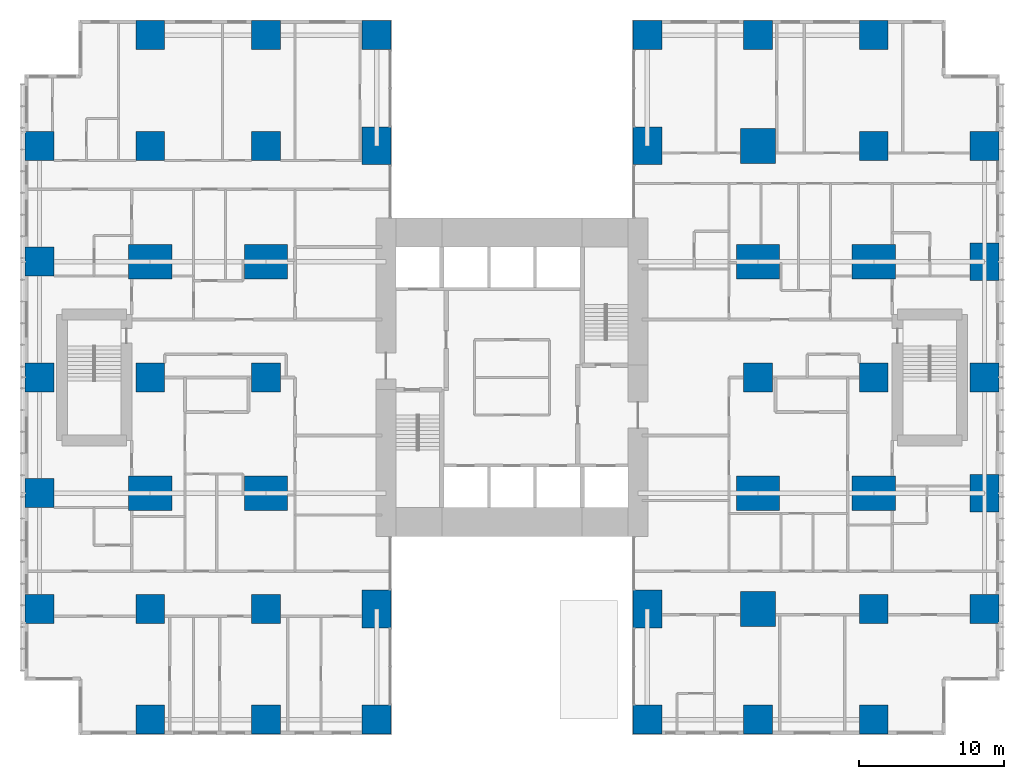
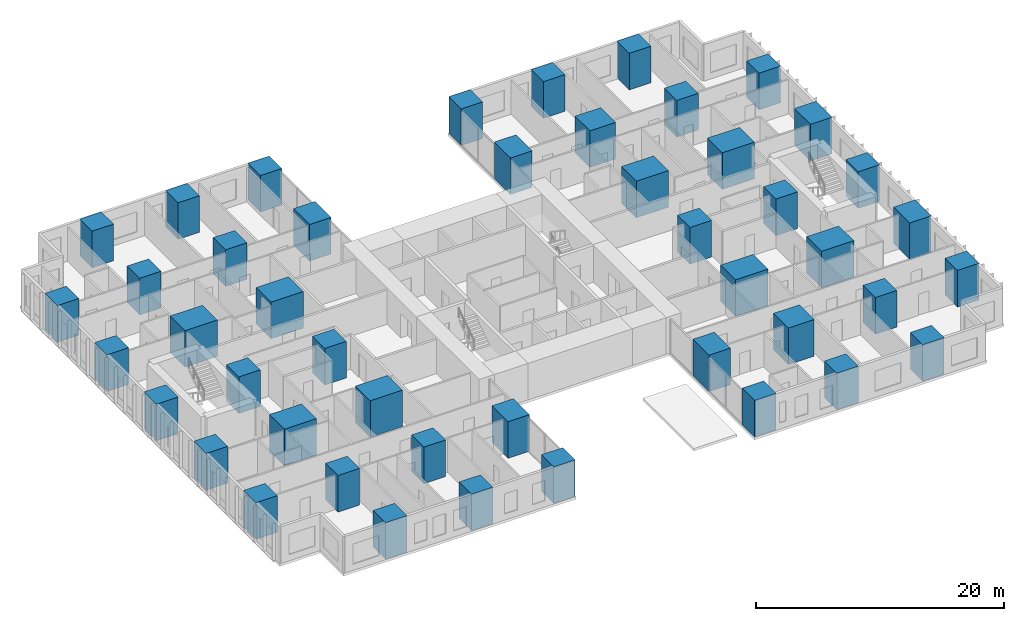
# One storey, part 1 of 22: 46 columns.
"""IFC4 building model written with IfcOpenShell, lengths in metres."""

import ifcopenshell
import ifcopenshell.guid

model = None  # the IFC model being written
_history = None  # IfcOwnerHistory: only IFC2X3 demands one
_inside = {}  # id of a spatial element -> (the spatial element, [elements in it])
_under = {}  # id of a project, library or spatial element -> (it, [spatial elements below it])
_declared = {}  # id of a project -> (the project, [libraries it declares])
_typed = {}  # id of a type object -> (the type object, [elements of that type])
_made_of = {}  # id of a material, layer set ... -> (it, [elements and type objects made of it])


def new_model(schema):
    """Start an empty IFC model of exactly this schema.

    Asked for "IFC4X3", IfcOpenShell would pick the latest addendum, in which some entities
    have other attributes; the version numbers below select the first issue.
    IFC2X3 requires an IfcOwnerHistory on every rooted entity: one is made here for all.
    """
    global model, _history
    if schema == "IFC4X3":
        model = ifcopenshell.file(schema_version=(4, 3, 0, 0))
    else:
        model = ifcopenshell.file(schema=schema)
    _inside.clear()
    _under.clear()
    _declared.clear()
    _typed.clear()
    _made_of.clear()
    _history = None
    if model.schema == "IFC2X3":
        org = make("IfcOrganization", Name="unknown")
        user = make(
            "IfcPersonAndOrganization",
            ThePerson=make("IfcPerson", FamilyName="unknown"),
            TheOrganization=org,
        )
        app = make(
            "IfcApplication",
            ApplicationDeveloper=org,
            Version="unknown",
            ApplicationFullName="unknown",
            ApplicationIdentifier="unknown",
        )
        _history = make(
            "IfcOwnerHistory",
            OwningUser=user,
            OwningApplication=app,
            ChangeAction="ADDED",
            CreationDate=0,
        )
    return model


def make(cls, **values):
    """One entity of the class cls with the attributes given. An attribute that is None is left unset."""
    return model.create_entity(
        cls, **{name: value for name, value in values.items() if value is not None}
    )


def rooted(cls, **values):
    """An entity with a GlobalId (a new one), such as an element, a storey or a relation."""
    return make(cls, GlobalId=ifcopenshell.guid.new(), OwnerHistory=_history, **values)


def si_unit(unit_type, name, prefix=None):
    """IfcSIUnit, for example si_unit("LENGTHUNIT", "METRE", prefix="MILLI")."""
    return make("IfcSIUnit", UnitType=unit_type, Prefix=prefix, Name=name)


def assignment(units):
    """IfcUnitAssignment: the units of a project."""
    return None if units is None else make("IfcUnitAssignment", Units=units)


def point(xyz):
    """IfcCartesianPoint."""
    return None if xyz is None else make("IfcCartesianPoint", Coordinates=xyz)


def direction(xyz):
    """IfcDirection."""
    return None if xyz is None else make("IfcDirection", DirectionRatios=xyz)


def frame(location, z_axis=None, x_axis=None):
    """IfcAxis2Placement3D, a coordinate frame: its origin and axes. An axis left out is left unset."""
    return make(
        "IfcAxis2Placement3D",
        Location=point(location),
        Axis=direction(z_axis),
        RefDirection=direction(x_axis),
    )


def frame_2d(location, x_axis=None):
    """IfcAxis2Placement2D, a coordinate frame in the plane: its origin and x axis."""
    return make(
        "IfcAxis2Placement2D", Location=point(location), RefDirection=direction(x_axis)
    )


def origin():
    """The frame at (0, 0, 0) with its axes left unset."""
    return frame((0.0, 0.0, 0.0))


def origin_2d():
    """The frame at (0, 0) in the plane with its x axis left unset."""
    return frame_2d((0.0, 0.0))


def place(relative_to, where):
    """IfcLocalPlacement: puts the frame where relative to a parent placement (None: the world)."""
    return make(
        "IfcLocalPlacement", PlacementRelTo=relative_to, RelativePlacement=where
    )


def context(
    kind, dimensions, precision=None, world=None, true_north=None, identifier=None
):
    """IfcGeometricRepresentationContext, for example the 3D "Model" context."""
    return make(
        "IfcGeometricRepresentationContext",
        ContextIdentifier=identifier,
        ContextType=kind,
        CoordinateSpaceDimension=dimensions,
        Precision=precision,
        WorldCoordinateSystem=world,
        TrueNorth=true_north,
    )


def subcontext(parent, identifier, kind, view, scale=None):
    """IfcGeometricRepresentationSubContext, for example "Body" below "Model"."""
    return make(
        "IfcGeometricRepresentationSubContext",
        ContextIdentifier=identifier,
        ContextType=kind,
        ParentContext=parent,
        TargetScale=scale,
        TargetView=view,
    )


def project(units=None, contexts=None):
    """IfcProject with its units and contexts."""
    return rooted(
        "IfcProject",
        Name="project",
        RepresentationContexts=contexts,
        UnitsInContext=assignment(units),
    )


def spatial(cls, under=None, at=None, **own):
    """A site, building, storey or space (cls), placed at a placement, below another one or the project."""
    s = rooted(cls, ObjectPlacement=at, **own)
    if under is not None:
        _under.setdefault(under.id(), (under, []))[1].append(s)
    return s


def profile(cls, at=None, kind="AREA", **sizes):
    """A parametric profile (cls). Its sizes go by their IFC names, for example OverallWidth=200.0."""
    return make(cls, ProfileType=kind, Position=at, **sizes)


def rectangle(**sizes):
    """IfcRectangleProfileDef."""
    return profile("IfcRectangleProfileDef", **sizes)


def extrude(swept, where, along, depth):
    """IfcExtrudedAreaSolid: the profile swept, set in the frame where, extruded along a direction by depth."""
    return make(
        "IfcExtrudedAreaSolid",
        SweptArea=swept,
        Position=where,
        ExtrudedDirection=direction(along),
        Depth=depth,
    )


def shape(context_of_items, identifier, shape_type, items):
    """IfcShapeRepresentation: the items that make up one representation, for example the "Body"."""
    return make(
        "IfcShapeRepresentation",
        ContextOfItems=context_of_items,
        RepresentationIdentifier=identifier,
        RepresentationType=shape_type,
        Items=items,
    )


def material(Name=None, Category=None):
    """IfcMaterial."""
    return make("IfcMaterial", Name=Name, Category=Category)


def material_profile(
    of_material, cross_section, Name=None, Category=None, Priority=None
):
    """IfcMaterialProfile: a cross section and its material."""
    return make(
        "IfcMaterialProfile",
        Name=Name,
        Material=of_material,
        Profile=cross_section,
        Priority=Priority,
        Category=Category,
    )


def profile_set(profiles, Name=None, composite=None):
    """IfcMaterialProfileSet."""
    return make(
        "IfcMaterialProfileSet",
        Name=Name,
        MaterialProfiles=profiles,
        CompositeProfile=composite,
    )


def made_of(thing, what):
    """Note that an element or type object is made of a material, layer set ...; save() writes the relation."""
    if what is not None:
        _made_of.setdefault(what.id(), (what, []))[1].append(thing)
    return thing


def type_object(cls, material=None, **own):
    """A type object (cls), such as IfcWallType, which elements share."""
    return made_of(rooted(cls, **own), material)


def element(
    cls,
    number,
    at=None,
    inside=None,
    cuts=None,
    type_object=None,
    material=None,
    context=None,
    identifier="Body",
    shape_type=None,
    held_by="IfcProductDefinitionShape",
    body=None,
    shapes=None,
    **own,
):
    """One element of the class cls, such as IfcWall. Its Tag is "e" and its number.

    at: its placement. inside: the storey or other place that contains it. cuts: it is an
    opening in that element (IfcRelVoidsElement). A single representation is given by context,
    identifier, shape_type and body (its items); several are given by shapes. held_by: the class
    of the entity that holds the representations. save() writes the other relations.
    """
    e = rooted(cls, Tag="e%d" % number, ObjectPlacement=at, **own)
    if body is not None:
        shapes = [shape(context, identifier, shape_type, body)]
    if shapes is not None:
        e.Representation = make(held_by, Representations=shapes)
    if inside is not None:
        _inside.setdefault(inside.id(), (inside, []))[1].append(e)
    if cuts is not None:
        rooted(
            "IfcRelVoidsElement", RelatingBuildingElement=cuts, RelatedOpeningElement=e
        )
    if type_object is not None:
        _typed.setdefault(type_object.id(), (type_object, []))[1].append(e)
    return made_of(e, material)


def aggregate(whole, parts):
    """IfcRelAggregates: a whole, such as a stair, and the parts it consists of."""
    return rooted("IfcRelAggregates", RelatingObject=whole, RelatedObjects=parts)


def save(model, path):
    """Write the relations noted so far, then the file.

    IfcRelAggregates (storeys below a building ...), IfcRelContainedInSpatialStructure (elements
    in a storey), IfcRelDefinesByType, IfcRelAssociatesMaterial and IfcRelDeclares: one each for
    every whole, place, type object, material and project.
    """
    for whole, parts in _under.values():
        aggregate(whole, parts)
    for where, things in _inside.values():
        rooted(
            "IfcRelContainedInSpatialStructure",
            RelatedElements=things,
            RelatingStructure=where,
        )
    for kind, things in _typed.values():
        rooted("IfcRelDefinesByType", RelatedObjects=things, RelatingType=kind)
    for what, things in _made_of.values():
        rooted("IfcRelAssociatesMaterial", RelatedObjects=things, RelatingMaterial=what)
    for by, libraries in _declared.values():
        rooted("IfcRelDeclares", RelatingContext=by, RelatedDefinitions=libraries)
    model.write(path)


model = new_model("IFC4")

# Units and contexts
model_context = context("Model", 3, precision=1e-05, world=origin(), true_north=direction((0.0, 1.0)))
body_context = subcontext(model_context, "Body", "Model", "MODEL_VIEW")
ifc_project = project(units=[si_unit("LENGTHUNIT", "METRE"), si_unit("AREAUNIT", "SQUARE_METRE"), si_unit("VOLUMEUNIT", "CUBIC_METRE"), si_unit("PLANEANGLEUNIT", "RADIAN"), si_unit("MASSUNIT", "GRAM", prefix="KILO")], contexts=[model_context])

# Site, building, storey
site_placement = place(None, origin())
site = spatial("IfcSite", under=ifc_project, at=site_placement, CompositionType="ELEMENT")
building_placement = place(site_placement, origin())
building = spatial("IfcBuilding", under=site, at=building_placement, Name="Cleftline Residences", CompositionType="ELEMENT")
storey_placement = place(building_placement, frame((0.0, 0.0, 29.60009765625)))
storey = spatial("IfcBuildingStorey", under=building, at=storey_placement, Name="L06", CompositionType="ELEMENT", Elevation=29.60009765625)

# Columns
ifc_material_1 = material(Name="Concrete B70", Category="concrete")
ifc_material_profile_1 = material_profile(ifc_material_1, rectangle(XDim=2.0, YDim=2.0, at=origin_2d()))
ifc_profile_set_1 = profile_set([ifc_material_profile_1], Name="Concrete B70")
column_type_1 = type_object("IfcColumnType", Name="COLUMN RC2000X2000", PredefinedType="COLUMN", material=ifc_profile_set_1)
for number, where, z_axis, x_axis, name in (
    (1, (0.35009765625, 8.0, 0.0), (0.0, 0.0, 1.0), (1.0, 0.0, 0.0), "Column D/3"),
    (2, (0.35009765625, 16.0, 0.0), (0.0, 0.0, 1.0), (1.0, 0.0, 0.0), "Column E/3"),
    (3, (0.35009765625, 24.0, 0.0), (0.0, 0.0, 1.0), (1.0, 0.0, 0.0), "Column F/3"),
    (4, (0.35009765625, 32.0, 0.0), (0.0, 0.0, 1.0), (1.0, 0.0, 0.0), "Column G/3"),
    (5, (0.35009765625, 40.0, 0.0), (0.0, 0.0, 1.0), (1.0, 0.0, 0.0), "Column H/3"),
    (6, (8.0, 0.35009765625, 0.0), (0.0, 0.0, 1.0), (1.0, 0.0, 0.0), "Column C/4"),
    (7, (8.0, 8.0, 0.0), (0.0, 0.0, 1.0), (1.0, 0.0, 0.0), "Column D/4"),
    (8, (8.0, 24.0, 0.0), (0.0, 0.0, 1.0), (1.0, 0.0, 0.0), "Column F/4"),
    (9, (8.0, 40.0, 0.0), (0.0, 0.0, 1.0), (1.0, 0.0, 0.0), "Column H/4"),
    (10, (8.0, 47.64990234375, 0.0), (0.0, 0.0, 1.0), (1.0, 0.0, 0.0), "Column J/4"),
    (11, (16.0, 0.35009765625, 0.0), (0.0, 0.0, 1.0), (1.0, 0.0, 0.0), "Column C/5"),
    (12, (16.0, 8.0, 0.0), (0.0, 0.0, 1.0), (1.0, 0.0, 0.0), "Column D/5"),
    (13, (16.0, 24.0, 0.0), (0.0, 0.0, 1.0), (1.0, 0.0, 0.0), "Column F/5"),
    (14, (16.0, 40.0, 0.0), (0.0, 0.0, 1.0), (1.0, 0.0, 0.0), "Column H/5"),
    (15, (16.0, 47.64990234375, 0.0), (0.0, 0.0, 1.0), (1.0, 0.0, 0.0), "Column J/5"),
    (16, (23.64990234375, 0.35009765625, 0.0), (0.0, 0.0, 1.0), (1.0, 0.0, 0.0), "Column C/6"),
    (17, (23.64990234375, 47.64990234375, 0.0), (0.0, 0.0, 1.0), (1.0, 0.0, 0.0), "Column J/6"),
    (18, (42.35009765625, 0.35009765625, 0.0), (0.0, 0.0, 1.0), (1.0, 0.0, 0.0), "Column C/8"),
    (19, (42.35009765625, 47.64990234375, 0.0), (0.0, 0.0, 1.0), (1.0, 0.0, 0.0), "Column J/8"),
    (20, (50.0, 0.35009765625, 0.0), (0.0, 0.0, 1.0), (1.0, 0.0, 0.0), "Column C/9"),
    (21, (50.0, 24.0, 0.0), (0.0, 0.0, 1.0), (1.0, 0.0, 0.0), "Column F/9"),
    (22, (50.0, 47.64990234375, 0.0), (0.0, 0.0, 1.0), (1.0, 0.0, 0.0), "Column J/9"),
    (23, (58.0, 0.35009765625, 0.0), (0.0, 0.0, 1.0), (1.0, 0.0, 0.0), "Column C/10"),
    (24, (58.0, 8.0, 0.0), (0.0, 0.0, 1.0), (1.0, 0.0, 0.0), "Column D/10"),
    (25, (58.0, 24.0, 0.0), (0.0, 0.0, 1.0), (1.0, 0.0, 0.0), "Column F/10"),
    (26, (58.0, 40.0, 0.0), (0.0, 0.0, 1.0), (1.0, 0.0, 0.0), "Column H/10"),
    (27, (58.0, 47.64990234375, 0.0), (0.0, 0.0, 1.0), (1.0, 0.0, 0.0), "Column J/10"),
    (28, (65.64990234375, 8.0, 0.0), (0.0, 0.0, 1.0), (1.0, 0.0, 0.0), "Column D/11"),
    (29, (65.64990234375, 24.0, 0.0), (0.0, 0.0, 1.0), (1.0, 0.0, 0.0), "Column F/11"),
    (30, (65.64990234375, 40.0, 0.0), (0.0, 0.0, 1.0), (1.0, 0.0, 0.0), "Column H/11"),
):
    element("IfcColumn", number, at=place(storey_placement, frame(where, z_axis=z_axis, x_axis=x_axis)), inside=storey, type_object=column_type_1, Name=name, PredefinedType="COLUMN", context=body_context, shape_type="SweptSolid", body=[
        extrude(rectangle(XDim=2.0, YDim=2.0, at=origin_2d()), origin(), (0.0, 0.0, 1.0), 3.599853515625),
    ])
ifc_material_2 = material(Name="Concrete B70", Category="concrete")
ifc_material_profile_2 = material_profile(ifc_material_2, rectangle(XDim=2.0, YDim=2.60009765625, at=origin_2d()))
ifc_profile_set_2 = profile_set([ifc_material_profile_2], Name="Concrete B70")
column_type_2 = type_object("IfcColumnType", Name="COLUMN RC2000X2600", PredefinedType="COLUMN", material=ifc_profile_set_2)
for number, where, z_axis, x_axis, name in (
    (31, (23.64990234375, 8.0, 0.0), (0.0, 0.0, 1.0), (1.0, 0.0, 0.0), "Column D/6"),
    (32, (23.64990234375, 40.0, 0.0), (0.0, 0.0, 1.0), (1.0, 0.0, 0.0), "Column H/6"),
    (33, (42.35009765625, 8.0, 0.0), (0.0, 0.0, 1.0), (1.0, 0.0, 0.0), "Column D/8"),
    (34, (42.35009765625, 40.0, 0.0), (0.0, 0.0, 1.0), (1.0, 0.0, 0.0), "Column H/8"),
):
    element("IfcColumn", number, at=place(storey_placement, frame(where, z_axis=z_axis, x_axis=x_axis)), inside=storey, type_object=column_type_2, Name=name, PredefinedType="COLUMN", context=body_context, shape_type="SweptSolid", body=[
        extrude(rectangle(XDim=2.0, YDim=2.60009765625, at=origin_2d()), origin(), (0.0, 0.0, 1.0), 3.599853515625),
    ])
ifc_material_3 = material(Name="Concrete B70", Category="concrete")
ifc_material_profile_3 = material_profile(ifc_material_3, rectangle(XDim=2.39990234375, YDim=2.39990234375, at=origin_2d()))
ifc_profile_set_3 = profile_set([ifc_material_profile_3], Name="Concrete B70")
column_type_3 = type_object("IfcColumnType", Name="COLUMN RC2400X2400", PredefinedType="COLUMN", material=ifc_profile_set_3)
for number, where, z_axis, x_axis, name in (
    (35, (50.0, 8.0, 0.0), (0.0, 0.0, 1.0), (1.0, 0.0, 0.0), "Column D/9"),
    (36, (50.0, 40.0, 0.0), (0.0, 0.0, 1.0), (1.0, 0.0, 0.0), "Column H/9"),
):
    element("IfcColumn", number, at=place(storey_placement, frame(where, z_axis=z_axis, x_axis=x_axis)), inside=storey, type_object=column_type_3, Name=name, PredefinedType="COLUMN", context=body_context, shape_type="SweptSolid", body=[
        extrude(rectangle(XDim=2.39990234375, YDim=2.39990234375, at=origin_2d()), origin(), (0.0, 0.0, 1.0), 3.599853515625),
    ])
ifc_material_4 = material(Name="Concrete B70", Category="concrete")
ifc_material_profile_4 = material_profile(ifc_material_4, rectangle(XDim=2.60009765625, YDim=2.0, at=origin_2d()))
ifc_profile_set_4 = profile_set([ifc_material_profile_4], Name="Concrete B70")
column_type_4 = type_object("IfcColumnType", Name="COLUMN RC2600X2000", PredefinedType="COLUMN", material=ifc_profile_set_4)
for number, where, z_axis, x_axis, name in (
    (37, (65.64990234375, 16.0, 0.0), (0.0, 0.0, 1.0), (0.0, 1.0, 0.0), "Column E/11"),
    (38, (65.64990234375, 32.0, 0.0), (0.0, 0.0, 1.0), (0.0, 1.0, 0.0), "Column G/11"),
):
    element("IfcColumn", number, at=place(storey_placement, frame(where, z_axis=z_axis, x_axis=x_axis)), inside=storey, type_object=column_type_4, Name=name, PredefinedType="COLUMN", context=body_context, shape_type="SweptSolid", body=[
        extrude(rectangle(XDim=2.60009765625, YDim=2.0, at=origin_2d()), origin(), (0.0, 0.0, 1.0), 3.599853515625),
    ])
ifc_material_5 = material(Name="Concrete B70", Category="concrete")
ifc_material_profile_5 = material_profile(ifc_material_5, rectangle(XDim=3.0, YDim=2.39990234375, at=origin_2d()))
ifc_profile_set_5 = profile_set([ifc_material_profile_5], Name="Concrete B70")
column_type_5 = type_object("IfcColumnType", Name="COLUMN RC3000X2400", PredefinedType="COLUMN", material=ifc_profile_set_5)
for number, where, z_axis, x_axis, name in (
    (39, (8.0, 16.0, 0.0), (0.0, 0.0, 1.0), (1.0, 0.0, 0.0), "Column E/4"),
    (40, (8.0, 32.0, 0.0), (0.0, 0.0, 1.0), (1.0, 0.0, 0.0), "Column G/4"),
    (41, (16.0, 16.0, 0.0), (0.0, 0.0, 1.0), (1.0, 0.0, 0.0), "Column E/5"),
    (42, (16.0, 32.0, 0.0), (0.0, 0.0, 1.0), (1.0, 0.0, 0.0), "Column G/5"),
    (43, (50.0, 16.0, 0.0), (0.0, 0.0, 1.0), (1.0, 0.0, 0.0), "Column E/9"),
    (44, (50.0, 32.0, 0.0), (0.0, 0.0, 1.0), (1.0, 0.0, 0.0), "Column G/9"),
    (45, (58.0, 16.0, 0.0), (0.0, 0.0, 1.0), (1.0, 0.0, 0.0), "Column E/10"),
    (46, (58.0, 32.0, 0.0), (0.0, 0.0, 1.0), (1.0, 0.0, 0.0), "Column G/10"),
):
    element("IfcColumn", number, at=place(storey_placement, frame(where, z_axis=z_axis, x_axis=x_axis)), inside=storey, type_object=column_type_5, Name=name, PredefinedType="COLUMN", context=body_context, shape_type="SweptSolid", body=[
        extrude(rectangle(XDim=3.0, YDim=2.39990234375, at=origin_2d()), origin(), (0.0, 0.0, 1.0), 3.599853515625),
    ])

save(model, "model.ifc")
